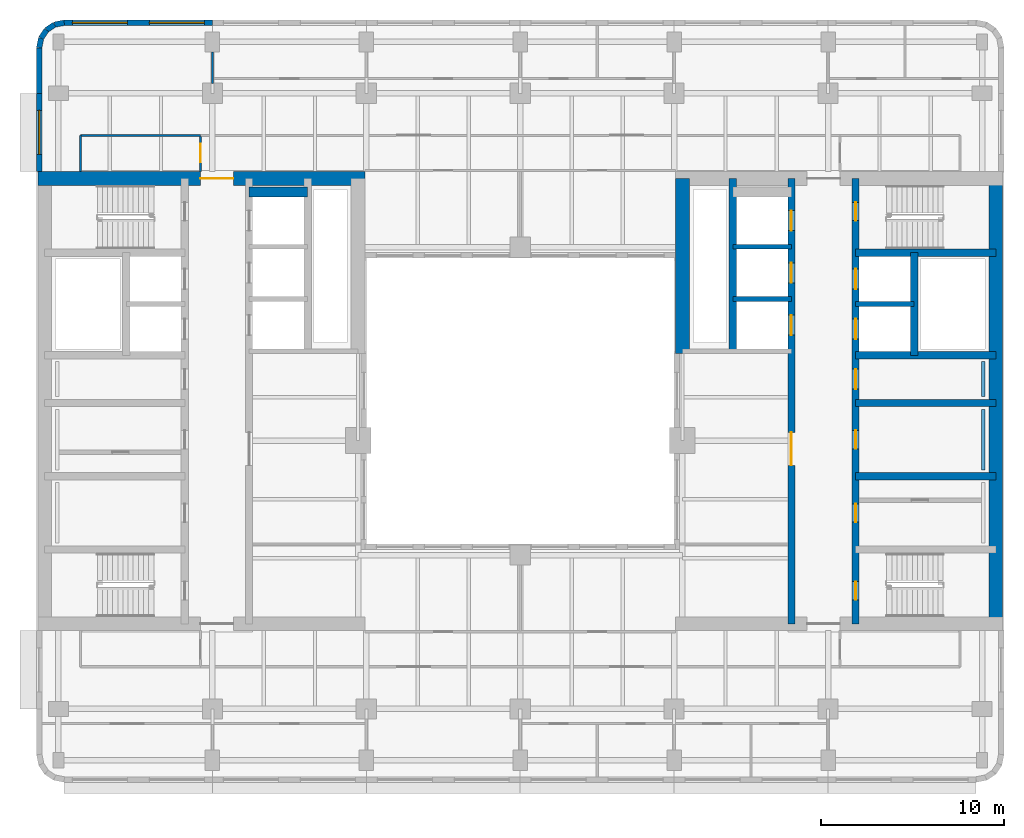
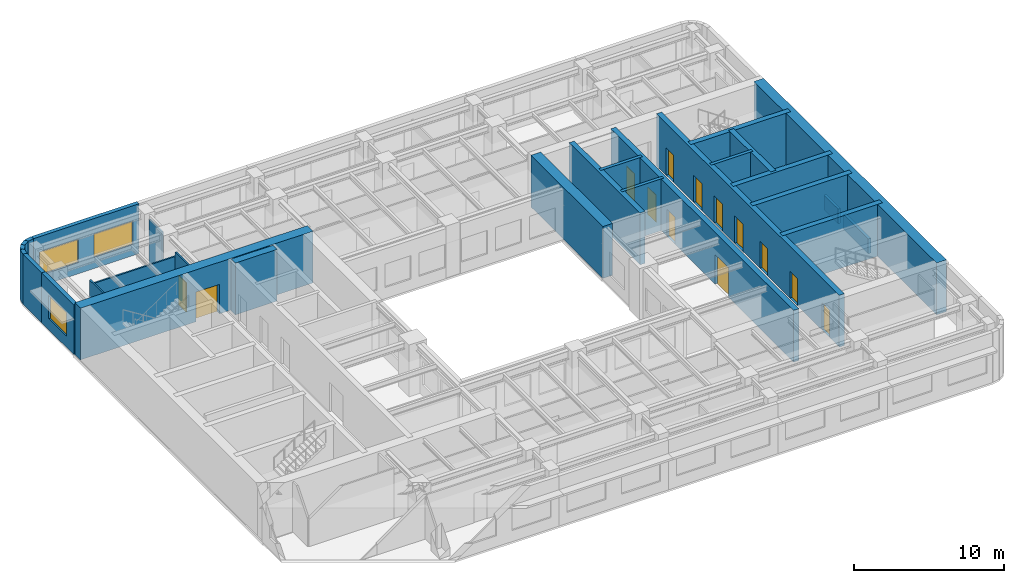
# One storey, part 6 of 11: 28 walls, 13 doors, 3 windows, 16 openings.
"""IFC4 building model written with IfcOpenShell, lengths in metres."""

from ifc_helpers import new_model, si_unit, direction, frame, frame_2d, origin, place, context, subcontext, project, spatial, rectangle, extrude, material, layer, layer_set, type_object, element, fill, save


model = new_model("IFC4")

# Units and contexts
model_context = context("Model", 3, precision=1e-05, world=origin(), true_north=direction((0.0, 1.0)))
body_context = subcontext(model_context, "Body", "Model", "MODEL_VIEW")
ifc_project = project(units=[si_unit("LENGTHUNIT", "METRE"), si_unit("AREAUNIT", "SQUARE_METRE"), si_unit("VOLUMEUNIT", "CUBIC_METRE"), si_unit("PLANEANGLEUNIT", "RADIAN"), si_unit("MASSUNIT", "GRAM", prefix="KILO")], contexts=[model_context])

# Site, building, storey
site_placement = place(None, origin())
site = spatial("IfcSite", under=ifc_project, at=site_placement, CompositionType="ELEMENT")
building_placement = place(site_placement, origin())
building = spatial("IfcBuilding", under=site, at=building_placement, Name="Claustro Exchange Tower", CompositionType="ELEMENT")
storey_placement = place(building_placement, frame((0.0, 0.0, 232.199951171875)))
storey = spatial("IfcBuildingStorey", under=building, at=storey_placement, Name="L53", CompositionType="ELEMENT", Elevation=232.199951171875)

# Wall
ifc_material_1 = material(Name="Laminated glass in aluminium frame", Category="aluminium")
ifc_layer_1 = layer(ifc_material_1, 0.1201171875)
ifc_layer_set_1 = layer_set([ifc_layer_1], Name="Laminated glass in aluminium frame")
wall_type_1 = type_object("IfcWallType", Name="P2 120 glazed partition", PredefinedType="PARTITIONING", material=ifc_layer_set_1)
wall_1_placement = place(storey_placement, frame((8.39990234375, 42.548095703125, 0.0), z_axis=(0.0, 0.0, 1.0), x_axis=(0.0, 1.0, 0.0)))
element("IfcWall", 1, at=wall_1_placement, inside=storey, type_object=wall_type_1, Name="Partition P2 L53", PredefinedType="PARTITIONING", context=body_context, shape_type="SweptSolid", body=[
    extrude(rectangle(XDim=1.702880859375, YDim=0.1201171875, at=frame_2d((0.8515625, 0.0))), origin(), (0.0, 0.0, 1.0), 3.68994140625),
])

# Wall, opening, door
wall_2_placement = place(storey_placement, frame((7.75, 37.72412109375, 0.0), z_axis=(0.0, 0.0, 1.0), x_axis=(0.0, 1.0, 0.0)))
wall_2 = element("IfcWall", 2, at=wall_2_placement, inside=storey, type_object=wall_type_1, Name="Partition P2 L53", PredefinedType="PARTITIONING", context=body_context, shape_type="SweptSolid", body=[
    extrude(rectangle(XDim=1.91796875, YDim=0.1201171875, at=frame_2d((0.958984375, 0.0))), origin(), (0.0, 0.0, 1.0), 4.050048828125),
])
opening_1_placement = place(wall_2_placement, frame((0.52587890625, 0.0, 0.0)))
opening_1 = element("IfcOpeningElement", 3, at=opening_1_placement, cuts=wall_2, Name="Opening D7", PredefinedType="OPENING", context=body_context, shape_type="SweptSolid", body=[
    extrude(rectangle(XDim=1.0, YDim=2.39990234375, at=frame_2d((0.5, 1.199951171875))), frame((0.0, 0.070068359375, 0.0), z_axis=(0.0, -1.0, 0.0), x_axis=(1.0, 0.0, 0.0)), (0.0, 0.0, 1.0), 0.14013671875),
])
ifc_material_2 = material(Name="Glass door in aluminium frame", Category="aluminium")
door_type_1 = type_object("IfcDoorType", Name="D7 1000 x 2400 glazed door", OperationType="SINGLE_SWING_LEFT", PredefinedType="DOOR", material=ifc_material_2)
door_1_placement = place(opening_1_placement, origin())
door_1 = element("IfcDoor", 4, at=door_1_placement, inside=storey, type_object=door_type_1, Name="Door D7 L53", OperationType="SINGLE_SWING_LEFT", OverallHeight=2.39990234375, OverallWidth=1.0, PredefinedType="DOOR", context=body_context, shape_type="SweptSolid", body=[
    extrude(rectangle(XDim=1.0, YDim=2.39990234375, at=frame_2d((0.5, 1.199951171875))), frame((0.0, 0.02490234375, 0.0), z_axis=(0.0, -1.0, 0.0), x_axis=(1.0, 0.0, 0.0)), (0.0, 0.0, 1.0), 0.050048828125),
])
fill(opening_1, door_1)

# Walls
wall_3_placement = place(storey_placement, frame((1.199951171875, 39.699951171875, 0.0), z_axis=(0.0, 0.0, 1.0), x_axis=(1.0, 0.0, 0.0)))
element("IfcWall", 5, at=wall_3_placement, inside=storey, type_object=wall_type_1, Name="Partition P2 L53", PredefinedType="PARTITIONING", context=body_context, shape_type="SweptSolid", body=[
    extrude(rectangle(XDim=6.552001953125, YDim=0.1201171875, at=frame_2d((3.27587890625, 0.0))), origin(), (0.0, 0.0, 1.0), 3.68994140625),
])
wall_4_placement = place(storey_placement, frame((1.199951171875, 37.72412109375, 0.0), z_axis=(0.0, 0.0, 1.0), x_axis=(0.0, 1.0, 0.0)))
element("IfcWall", 6, at=wall_4_placement, inside=storey, type_object=wall_type_1, Name="Partition P2 L53", PredefinedType="PARTITIONING", context=body_context, shape_type="SweptSolid", body=[
    extrude(rectangle(XDim=1.975830078125, YDim=0.1201171875, at=frame_2d((0.98779296875, 0.0))), origin(), (0.0, 0.0, 1.0), 4.050048828125),
])

# Wall, opening, window
ifc_material_3 = material(Name="Concrete HA-40 (C40/50), precast, white cement, acid-etched", Category="concrete")
ifc_layer_2 = layer(ifc_material_3, 0.300048828125)
ifc_layer_set_2 = layer_set([ifc_layer_2], Name="Concrete HA-40 (C40/50), precast, white cement, acid-etched")
wall_type_2 = type_object("IfcWallType", Name="PC1 300 precast concrete pier panel", PredefinedType="SOLIDWALL", material=ifc_layer_set_2)
wall_5_placement = place(storey_placement, frame((-1.050048828125, 37.72509765625, 0.0), z_axis=(0.0, 0.0, 1.0), x_axis=(0.0, 1.0, 0.0)))
wall_5 = element("IfcWall", 7, at=wall_5_placement, inside=storey, type_object=wall_type_2, Name="Precast pier panel PC1 L53", PredefinedType="SOLIDWALL", context=body_context, shape_type="SweptSolid", body=[
    extrude(rectangle(XDim=4.27490234375, YDim=0.300048828125, at=frame_2d((2.137451171875, 0.0))), origin(), (0.0, 0.0, 1.0), 4.050048828125),
])
opening_2_placement = place(wall_5_placement, frame((0.9375, 0.0, 0.89990234375)))
opening_2 = element("IfcOpeningElement", 8, at=opening_2_placement, cuts=wall_5, Name="Opening W2", PredefinedType="OPENING", context=body_context, shape_type="SweptSolid", body=[
    extrude(rectangle(XDim=2.39990234375, YDim=1.89990234375, at=frame_2d((1.199951171875, 0.949951171875))), frame((0.0, 0.159912109375, 0.0), z_axis=(0.0, -1.0, 0.0), x_axis=(1.0, 0.0, 0.0)), (0.0, 0.0, 1.0), 0.320068359375),
])
ifc_material_4 = material(Name="Aluminium frame, clear double glazing", Category="aluminium")
window_type_1 = type_object("IfcWindowType", Name="W2 2400 x 1900 window", PartitioningType="SINGLE_PANEL", PredefinedType="WINDOW", material=ifc_material_4)
window_1_placement = place(opening_2_placement, origin())
window_1 = element("IfcWindow", 9, at=window_1_placement, inside=storey, type_object=window_type_1, Name="Window W2 L53", OverallHeight=1.89990234375, OverallWidth=2.39990234375, PartitioningType="SINGLE_PANEL", PredefinedType="WINDOW", context=body_context, shape_type="SweptSolid", body=[
    extrude(rectangle(XDim=2.39990234375, YDim=1.89990234375, at=frame_2d((1.199951171875, 0.949951171875))), frame((0.0, 0.030029296875, 0.0), z_axis=(0.0, -1.0, 0.0), x_axis=(1.0, 0.0, 0.0)), (0.0, 0.0, 1.0), 0.06005859375),
])
fill(opening_2, window_1)

# Walls
wall_6_placement = place(storey_placement, frame((-1.050048828125, 42.0, 0.0), z_axis=(0.0, 0.0, 1.0), x_axis=(0.0, 1.0, 0.0)))
element("IfcWall", 10, at=wall_6_placement, inside=storey, type_object=wall_type_2, Name="Precast pier panel PC1 L53", PredefinedType="SOLIDWALL", context=body_context, shape_type="SweptSolid", body=[
    extrude(rectangle(XDim=2.485107421875, YDim=0.300048828125, at=frame_2d((1.24267578125, 0.0))), origin(), (0.0, 0.0, 1.0), 4.050048828125),
])
wall_7_placement = place(storey_placement, frame((-1.050048828125, 44.485107421875, 0.0), z_axis=(0.0, 0.0, 1.0), x_axis=(0.195073962632, 0.980788534345, 0.0)))
element("IfcWall", 11, at=wall_7_placement, inside=storey, type_object=wall_type_2, Name="Precast pier panel PC1 L53", PredefinedType="SOLIDWALL", context=body_context, shape_type="SweptSolid", body=[
    extrude(rectangle(XDim=0.540771484375, YDim=0.300048828125, at=frame_2d((0.2705078125, 0.0))), origin(), (0.0, 0.0, 1.0), 4.050048828125),
])
wall_8_placement = place(storey_placement, frame((-0.944580078125, 45.015380859375, 0.0), z_axis=(0.0, 0.0, 1.0), x_axis=(0.55534295404, 0.831621430339, 0.0)))
element("IfcWall", 12, at=wall_8_placement, inside=storey, type_object=wall_type_2, Name="Precast pier panel PC1 L53", PredefinedType="SOLIDWALL", context=body_context, shape_type="SweptSolid", body=[
    extrude(rectangle(XDim=0.52587890625, YDim=0.300048828125, at=frame_2d((0.262939453125, 0.0))), origin(), (0.0, 0.0, 1.0), 4.050048828125),
])
wall_9_placement = place(storey_placement, frame((-0.652587890625, 45.45263671875, 0.0), z_axis=(0.0, 0.0, 1.0), x_axis=(0.831692711774, 0.555236195849, 0.0)))
element("IfcWall", 13, at=wall_9_placement, inside=storey, type_object=wall_type_2, Name="Precast pier panel PC1 L53", PredefinedType="SOLIDWALL", context=body_context, shape_type="SweptSolid", body=[
    extrude(rectangle(XDim=0.525390625, YDim=0.300048828125, at=frame_2d((0.2626953125, 0.0))), origin(), (0.0, 0.0, 1.0), 4.050048828125),
])
wall_10_placement = place(storey_placement, frame((-0.215576171875, 45.744384765625, 0.0), z_axis=(0.0, 0.0, 1.0), x_axis=(0.980702050465, 0.1955082817, 0.0)))
element("IfcWall", 14, at=wall_10_placement, inside=storey, type_object=wall_type_2, Name="Precast pier panel PC1 L53", PredefinedType="SOLIDWALL", context=body_context, shape_type="SweptSolid", body=[
    extrude(rectangle(XDim=0.540771484375, YDim=0.300048828125, at=frame_2d((0.2705078125, 0.0))), origin(), (0.0, 0.0, 1.0), 4.050048828125),
])

# Wall, openings, windows
wall_11_placement = place(storey_placement, frame((0.314697265625, 45.85009765625, 0.0), z_axis=(0.0, 0.0, 1.0), x_axis=(1.0, 0.0, 0.0)))
wall_11 = element("IfcWall", 15, at=wall_11_placement, inside=storey, type_object=wall_type_2, Name="Precast pier panel PC1 L53", PredefinedType="SOLIDWALL", context=body_context, shape_type="SweptSolid", body=[
    extrude(rectangle(XDim=8.085205078125, YDim=0.300048828125, at=frame_2d((4.04248046875, 0.0))), origin(), (0.0, 0.0, 1.0), 4.050048828125),
])
opening_3_placement = place(wall_11_placement, frame((0.442626953125, 0.0, 0.89990234375)))
opening_3 = element("IfcOpeningElement", 16, at=opening_3_placement, cuts=wall_11, Name="Opening W1", PredefinedType="OPENING", context=body_context, shape_type="SweptSolid", body=[
    extrude(rectangle(XDim=3.0, YDim=1.89990234375, at=frame_2d((1.5, 0.949951171875))), frame((0.0, 0.159912109375, 0.0), z_axis=(0.0, -1.0, 0.0), x_axis=(1.0, 0.0, 0.0)), (0.0, 0.0, 1.0), 0.320068359375),
])
opening_4_placement = place(wall_11_placement, frame((4.642578125, 0.0, 0.89990234375)))
opening_4 = element("IfcOpeningElement", 17, at=opening_4_placement, cuts=wall_11, Name="Opening W1", PredefinedType="OPENING", context=body_context, shape_type="SweptSolid", body=[
    extrude(rectangle(XDim=3.0, YDim=1.89990234375, at=frame_2d((1.5, 0.949951171875))), frame((0.0, 0.159912109375, 0.0), z_axis=(0.0, -1.0, 0.0), x_axis=(1.0, 0.0, 0.0)), (0.0, 0.0, 1.0), 0.320068359375),
])
ifc_material_5 = material(Name="Aluminium frame, clear double glazing", Category="aluminium")
window_type_2 = type_object("IfcWindowType", Name="W1 3000 x 1900 window", PartitioningType="SINGLE_PANEL", PredefinedType="WINDOW", material=ifc_material_5)
window_2_placement = place(opening_3_placement, origin())
window_2 = element("IfcWindow", 18, at=window_2_placement, inside=storey, type_object=window_type_2, Name="Window W1 L53", OverallHeight=1.89990234375, OverallWidth=3.0, PartitioningType="SINGLE_PANEL", PredefinedType="WINDOW", context=body_context, shape_type="SweptSolid", body=[
    extrude(rectangle(XDim=3.0, YDim=1.89990234375, at=frame_2d((1.5, 0.949951171875))), frame((0.0, 0.030029296875, 0.0), z_axis=(0.0, -1.0, 0.0), x_axis=(1.0, 0.0, 0.0)), (0.0, 0.0, 1.0), 0.06005859375),
])
fill(opening_3, window_2)
window_3_placement = place(opening_4_placement, origin())
window_3 = element("IfcWindow", 19, at=window_3_placement, inside=storey, type_object=window_type_2, Name="Window W1 L53", OverallHeight=1.89990234375, OverallWidth=3.0, PartitioningType="SINGLE_PANEL", PredefinedType="WINDOW", context=body_context, shape_type="SweptSolid", body=[
    extrude(rectangle(XDim=3.0, YDim=1.89990234375, at=frame_2d((1.5, 0.949951171875))), frame((0.0, 0.030029296875, 0.0), z_axis=(0.0, -1.0, 0.0), x_axis=(1.0, 0.0, 0.0)), (0.0, 0.0, 1.0), 0.06005859375),
])
fill(opening_4, window_3)

# Walls
ifc_material_6 = material(Name="Gypsum board on steel studs, tiled", Category="steel")
ifc_layer_3 = layer(ifc_material_6, 0.199951171875)
ifc_layer_set_3 = layer_set([ifc_layer_3], Name="Gypsum board on steel studs, tiled")
wall_type_3 = type_object("IfcWallType", Name="PW1 200 WC duct wall", PredefinedType="PLUMBINGWALL", material=ifc_layer_set_3)
wall_12_placement = place(storey_placement, frame((50.47509765625, 21.449951171875, 0.0), z_axis=(0.0, 0.0, 1.0), x_axis=(0.0, 1.0, 0.0)))
element("IfcWall", 20, at=wall_12_placement, inside=storey, type_object=wall_type_3, Name="WC duct wall PW1 L53", PredefinedType="PLUMBINGWALL", context=body_context, shape_type="SweptSolid", body=[
    extrude(rectangle(XDim=3.300048828125, YDim=0.199951171875, at=frame_2d((1.64990234375, 0.0))), origin(), (0.0, 0.0, 1.0), 1.199951171875),
])
wall_13_placement = place(storey_placement, frame((50.47509765625, 25.449951171875, 0.0), z_axis=(0.0, 0.0, 1.0), x_axis=(0.0, 1.0, 0.0)))
element("IfcWall", 21, at=wall_13_placement, inside=storey, type_object=wall_type_3, Name="WC duct wall PW1 L53", PredefinedType="PLUMBINGWALL", context=body_context, shape_type="SweptSolid", body=[
    extrude(rectangle(XDim=1.900146484375, YDim=0.199951171875, at=frame_2d((0.9501953125, 0.0))), origin(), (0.0, 0.0, 1.0), 1.199951171875),
])

# Wall, opening, door
ifc_material_7 = material(Name="Concrete HA-70 (C70/85)", Category="concrete")
ifc_layer_4 = layer(ifc_material_7, 0.75)
ifc_layer_set_4 = layer_set([ifc_layer_4], Name="Concrete HA-70 (C70/85)")
wall_type_4 = type_object("IfcWallType", Name="SW2 750 core shear wall", PredefinedType="SHEAR", material=ifc_layer_set_4)
wall_14_placement = place(storey_placement, frame((-1.125, 37.35009765625, 0.0), z_axis=(0.0, 0.0, 1.0), x_axis=(1.0, 0.0, 0.0)))
wall_14 = element("IfcWall", 22, at=wall_14_placement, inside=storey, type_object=wall_type_4, Name="Core wall SW2 W core N face L53", PredefinedType="SHEAR", context=body_context, shape_type="SweptSolid", body=[
    extrude(rectangle(XDim=17.85009765625, YDim=0.75, at=frame_2d((8.925048828125, 0.0))), origin(), (0.0, 0.0, 1.0), 4.199951171875),
])
opening_5_placement = place(wall_14_placement, frame((8.875, 0.0, 0.0)))
opening_5 = element("IfcOpeningElement", 23, at=opening_5_placement, cuts=wall_14, Name="Opening D3", PredefinedType="OPENING", context=body_context, shape_type="SweptSolid", body=[
    extrude(rectangle(XDim=1.800048828125, YDim=2.39990234375, at=frame_2d((0.89990234375, 1.199951171875))), frame((0.0, 0.385009765625, 0.0), z_axis=(0.0, -1.0, 0.0), x_axis=(1.0, 0.0, 0.0)), (0.0, 0.0, 1.0), 0.77001953125),
])
ifc_material_8 = material(Name="Steel fire door, painted", Category="steel")
door_type_2 = type_object("IfcDoorType", Name="D3 1800 x 2400 fire-rated lobby double door", OperationType="DOUBLE_DOOR_SINGLE_SWING", PredefinedType="DOOR", material=ifc_material_8)
door_2_placement = place(opening_5_placement, frame((1.800048828125, 0.0, 0.0), z_axis=(0.0, 0.0, 1.0), x_axis=(-1.0, 0.0, 0.0)))
door_2 = element("IfcDoor", 24, at=door_2_placement, inside=storey, type_object=door_type_2, Name="Lift lobby door D3 L53", OperationType="DOUBLE_DOOR_SINGLE_SWING", OverallHeight=2.39990234375, OverallWidth=1.800048828125, PredefinedType="DOOR", context=body_context, shape_type="SweptSolid", body=[
    extrude(rectangle(XDim=1.800048828125, YDim=2.39990234375, at=frame_2d((0.89990234375, 1.199951171875))), frame((0.0, 0.02490234375, 0.0), z_axis=(0.0, -1.0, 0.0), x_axis=(1.0, 0.0, 0.0)), (0.0, 0.0, 1.0), 0.050048828125),
])
fill(opening_5, door_2)

# Walls
ifc_material_9 = material(Name="Concrete HA-70 (C70/85)", Category="concrete")
ifc_layer_5 = layer(ifc_material_9, 0.75)
ifc_layer_set_5 = layer_set([ifc_layer_5], Name="Concrete HA-70 (C70/85)")
wall_type_5 = type_object("IfcWallType", Name="SW2X 750 exposed core shear wall, board-marked face", PredefinedType="SHEAR", material=ifc_layer_set_5)
wall_15_placement = place(storey_placement, frame((34.050048828125, 27.800048828125, 0.0), z_axis=(0.0, 0.0, 1.0), x_axis=(0.0, 1.0, 0.0)))
element("IfcWall", 25, at=wall_15_placement, inside=storey, type_object=wall_type_5, Name="Core wall SW2X E core W face L53", PredefinedType="SHEAR", context=body_context, shape_type="SweptSolid", body=[
    extrude(rectangle(XDim=9.550048828125, YDim=0.75, at=frame_2d((4.77490234375, 0.0))), origin(), (0.0, 0.0, 1.0), 4.199951171875),
])
wall_16_placement = place(storey_placement, frame((51.14990234375, 13.050048828125, 0.0), z_axis=(0.0, 0.0, 1.0), x_axis=(0.0, 1.0, 0.0)))
element("IfcWall", 26, at=wall_16_placement, inside=storey, type_object=wall_type_5, Name="Core wall SW2X E core E face L53", PredefinedType="SHEAR", context=body_context, shape_type="SweptSolid", body=[
    extrude(rectangle(XDim=24.300048828125, YDim=0.75, at=frame_2d((12.14990234375, 0.0))), origin(), (0.0, 0.0, 1.0), 4.199951171875),
])

# Wall, openings, doors
ifc_material_10 = material(Name="Concrete HA-50 (C50/60)", Category="concrete")
ifc_layer_6 = layer(ifc_material_10, 0.39990234375)
ifc_layer_set_6 = layer_set([ifc_layer_6], Name="Concrete HA-50 (C50/60)")
wall_type_6 = type_object("IfcWallType", Name="SW4 400 internal core wall", PredefinedType="SHEAR", material=ifc_layer_set_6)
wall_17_placement = place(storey_placement, frame((43.5, 13.050048828125, 0.0), z_axis=(0.0, 0.0, 1.0), x_axis=(0.0, 1.0, 0.0)))
wall_17 = element("IfcWall", 27, at=wall_17_placement, inside=storey, type_object=wall_type_6, Name="Internal core wall SW4 E core L53", PredefinedType="SHEAR", context=body_context, shape_type="SweptSolid", body=[
    extrude(rectangle(XDim=24.300048828125, YDim=0.39990234375, at=frame_2d((12.14990234375, 0.0))), origin(), (0.0, 0.0, 1.0), 4.199951171875),
])
opening_6_placement = place(wall_17_placement, frame((1.300048828125, 0.0, 0.0)))
opening_6 = element("IfcOpeningElement", 28, at=opening_6_placement, cuts=wall_17, Name="Opening D4", PredefinedType="OPENING", context=body_context, shape_type="SweptSolid", body=[
    extrude(rectangle(XDim=1.0, YDim=2.199951171875, at=frame_2d((0.5, 1.10009765625))), frame((0.0, 0.2099609375, 0.0), z_axis=(0.0, -1.0, 0.0), x_axis=(1.0, 0.0, 0.0)), (0.0, 0.0, 1.0), 0.419921875),
])
opening_7_placement = place(wall_17_placement, frame((22.0, 0.0, 0.0)))
opening_7 = element("IfcOpeningElement", 29, at=opening_7_placement, cuts=wall_17, Name="Opening D4", PredefinedType="OPENING", context=body_context, shape_type="SweptSolid", body=[
    extrude(rectangle(XDim=1.0, YDim=2.199951171875, at=frame_2d((0.5, 1.10009765625))), frame((0.0, 0.2099609375, 0.0), z_axis=(0.0, -1.0, 0.0), x_axis=(1.0, 0.0, 0.0)), (0.0, 0.0, 1.0), 0.419921875),
])
opening_8_placement = place(wall_17_placement, frame((5.550048828125, 0.0, 0.0)))
opening_8 = element("IfcOpeningElement", 30, at=opening_8_placement, cuts=wall_17, Name="Opening D1", PredefinedType="OPENING", context=body_context, shape_type="SweptSolid", body=[
    extrude(rectangle(XDim=1.0, YDim=2.199951171875, at=frame_2d((0.5, 1.10009765625))), frame((0.0, 0.2099609375, 0.0), z_axis=(0.0, -1.0, 0.0), x_axis=(1.0, 0.0, 0.0)), (0.0, 0.0, 1.0), 0.419921875),
])
opening_9_placement = place(wall_17_placement, frame((9.550048828125, 0.0, 0.0)))
opening_9 = element("IfcOpeningElement", 31, at=opening_9_placement, cuts=wall_17, Name="Opening D1", PredefinedType="OPENING", context=body_context, shape_type="SweptSolid", body=[
    extrude(rectangle(XDim=1.0, YDim=2.199951171875, at=frame_2d((0.5, 1.10009765625))), frame((0.0, 0.2099609375, 0.0), z_axis=(0.0, -1.0, 0.0), x_axis=(1.0, 0.0, 0.0)), (0.0, 0.0, 1.0), 0.419921875),
])
opening_10_placement = place(wall_17_placement, frame((12.800048828125, 0.0, 0.0)))
opening_10 = element("IfcOpeningElement", 32, at=opening_10_placement, cuts=wall_17, Name="Opening D10", PredefinedType="OPENING", context=body_context, shape_type="SweptSolid", body=[
    extrude(rectangle(XDim=1.10009765625, YDim=2.199951171875, at=frame_2d((0.550048828125, 1.10009765625))), frame((0.0, 0.2099609375, 0.0), z_axis=(0.0, -1.0, 0.0), x_axis=(1.0, 0.0, 0.0)), (0.0, 0.0, 1.0), 0.419921875),
])
opening_11_placement = place(wall_17_placement, frame((15.53759765625, 0.0, 0.0)))
opening_11 = element("IfcOpeningElement", 33, at=opening_11_placement, cuts=wall_17, Name="Opening LD", PredefinedType="OPENING", context=body_context, shape_type="SweptSolid", body=[
    extrude(rectangle(XDim=1.10009765625, YDim=2.199951171875, at=frame_2d((0.550048828125, 1.10009765625))), frame((0.0, 0.2099609375, 0.0), z_axis=(0.0, -1.0, 0.0), x_axis=(1.0, 0.0, 0.0)), (0.0, 0.0, 1.0), 0.419921875),
])
opening_12_placement = place(wall_17_placement, frame((18.262451171875, 0.0, 0.0)))
opening_12 = element("IfcOpeningElement", 34, at=opening_12_placement, cuts=wall_17, Name="Opening LD", PredefinedType="OPENING", context=body_context, shape_type="SweptSolid", body=[
    extrude(rectangle(XDim=1.10009765625, YDim=2.199951171875, at=frame_2d((0.550048828125, 1.10009765625))), frame((0.0, 0.2099609375, 0.0), z_axis=(0.0, -1.0, 0.0), x_axis=(1.0, 0.0, 0.0)), (0.0, 0.0, 1.0), 0.419921875),
])
ifc_material_11 = material(Name="Timber door, oak veneer", Category="wood")
door_type_3 = type_object("IfcDoorType", Name="D1 1000 x 2200 single door", OperationType="SINGLE_SWING_LEFT", PredefinedType="DOOR", material=ifc_material_11)
door_3_placement = place(opening_8_placement, frame((1.0, 0.0, 0.0), z_axis=(0.0, 0.0, 1.0), x_axis=(-1.0, 0.0, 0.0)))
door_3 = element("IfcDoor", 35, at=door_3_placement, inside=storey, type_object=door_type_3, Name="Door D1 L53", OperationType="SINGLE_SWING_LEFT", OverallHeight=2.199951171875, OverallWidth=1.0, PredefinedType="DOOR", context=body_context, shape_type="SweptSolid", body=[
    extrude(rectangle(XDim=1.0, YDim=2.199951171875, at=frame_2d((0.5, 1.10009765625))), frame((0.0, 0.02490234375, 0.0), z_axis=(0.0, -1.0, 0.0), x_axis=(1.0, 0.0, 0.0)), (0.0, 0.0, 1.0), 0.050048828125),
])
fill(opening_8, door_3)
door_4_placement = place(opening_9_placement, frame((1.0, 0.0, 0.0), z_axis=(0.0, 0.0, 1.0), x_axis=(-1.0, 0.0, 0.0)))
door_4 = element("IfcDoor", 36, at=door_4_placement, inside=storey, type_object=door_type_3, Name="Door D1 L53", OperationType="SINGLE_SWING_LEFT", OverallHeight=2.199951171875, OverallWidth=1.0, PredefinedType="DOOR", context=body_context, shape_type="SweptSolid", body=[
    extrude(rectangle(XDim=1.0, YDim=2.199951171875, at=frame_2d((0.5, 1.10009765625))), frame((0.0, 0.02490234375, 0.0), z_axis=(0.0, -1.0, 0.0), x_axis=(1.0, 0.0, 0.0)), (0.0, 0.0, 1.0), 0.050048828125),
])
fill(opening_9, door_4)
ifc_material_12 = material(Name="Timber door, oak veneer", Category="wood")
door_type_4 = type_object("IfcDoorType", Name="D10 1100 x 2200 accessible WC door", OperationType="SINGLE_SWING_LEFT", PredefinedType="DOOR", material=ifc_material_12)
door_5_placement = place(opening_10_placement, origin())
door_5 = element("IfcDoor", 37, at=door_5_placement, inside=storey, type_object=door_type_4, Name="Accessible WC door D10 L53", OperationType="SINGLE_SWING_RIGHT", OverallHeight=2.199951171875, OverallWidth=1.10009765625, PredefinedType="DOOR", context=body_context, shape_type="SweptSolid", body=[
    extrude(rectangle(XDim=1.10009765625, YDim=2.199951171875, at=frame_2d((0.550048828125, 1.10009765625))), frame((0.0, 0.02490234375, 0.0), z_axis=(0.0, -1.0, 0.0), x_axis=(1.0, 0.0, 0.0)), (0.0, 0.0, 1.0), 0.050048828125),
])
fill(opening_10, door_5)
ifc_material_13 = material(Name="Steel fire door, painted", Category="steel")
door_type_5 = type_object("IfcDoorType", Name="D4 1000 x 2200 fire-rated stair door", OperationType="SINGLE_SWING_LEFT", PredefinedType="DOOR", material=ifc_material_13)
door_6_placement = place(opening_6_placement, frame((1.0, 0.0, 0.0), z_axis=(0.0, 0.0, 1.0), x_axis=(-1.0, 0.0, 0.0)))
door_6 = element("IfcDoor", 38, at=door_6_placement, inside=storey, type_object=door_type_5, Name="Stair door D4 L53", OperationType="SINGLE_SWING_RIGHT", OverallHeight=2.199951171875, OverallWidth=1.0, PredefinedType="DOOR", context=body_context, shape_type="SweptSolid", body=[
    extrude(rectangle(XDim=1.0, YDim=2.199951171875, at=frame_2d((0.5, 1.10009765625))), frame((0.0, 0.02490234375, 0.0), z_axis=(0.0, -1.0, 0.0), x_axis=(1.0, 0.0, 0.0)), (0.0, 0.0, 1.0), 0.050048828125),
])
fill(opening_6, door_6)
door_7_placement = place(opening_7_placement, frame((1.0, 0.0, 0.0), z_axis=(0.0, 0.0, 1.0), x_axis=(-1.0, 0.0, 0.0)))
door_7 = element("IfcDoor", 39, at=door_7_placement, inside=storey, type_object=door_type_5, Name="Stair door D4 L53", OperationType="SINGLE_SWING_LEFT", OverallHeight=2.199951171875, OverallWidth=1.0, PredefinedType="DOOR", context=body_context, shape_type="SweptSolid", body=[
    extrude(rectangle(XDim=1.0, YDim=2.199951171875, at=frame_2d((0.5, 1.10009765625))), frame((0.0, 0.02490234375, 0.0), z_axis=(0.0, -1.0, 0.0), x_axis=(1.0, 0.0, 0.0)), (0.0, 0.0, 1.0), 0.050048828125),
])
fill(opening_7, door_7)
ifc_material_14 = material(Name="Stainless steel sliding door", Category="steel")
door_type_6 = type_object("IfcDoorType", Name="LD 1100 x 2200 lift landing door", OperationType="DOUBLE_DOOR_SLIDING", PredefinedType="DOOR", material=ifc_material_14)
door_8_placement = place(opening_11_placement, origin())
door_8 = element("IfcDoor", 40, at=door_8_placement, inside=storey, type_object=door_type_6, Name="Lift landing door LEE1 LD L53", OperationType="DOUBLE_DOOR_SLIDING", OverallHeight=2.199951171875, OverallWidth=1.10009765625, PredefinedType="DOOR", context=body_context, shape_type="SweptSolid", body=[
    extrude(rectangle(XDim=1.10009765625, YDim=2.199951171875, at=frame_2d((0.550048828125, 1.10009765625))), frame((0.0, 0.02490234375, 0.0), z_axis=(0.0, -1.0, 0.0), x_axis=(1.0, 0.0, 0.0)), (0.0, 0.0, 1.0), 0.050048828125),
])
fill(opening_11, door_8)
door_9_placement = place(opening_12_placement, origin())
door_9 = element("IfcDoor", 41, at=door_9_placement, inside=storey, type_object=door_type_6, Name="Lift landing door LEE2 LD L53", OperationType="DOUBLE_DOOR_SLIDING", OverallHeight=2.199951171875, OverallWidth=1.10009765625, PredefinedType="DOOR", context=body_context, shape_type="SweptSolid", body=[
    extrude(rectangle(XDim=1.10009765625, YDim=2.199951171875, at=frame_2d((0.550048828125, 1.10009765625))), frame((0.0, 0.02490234375, 0.0), z_axis=(0.0, -1.0, 0.0), x_axis=(1.0, 0.0, 0.0)), (0.0, 0.0, 1.0), 0.050048828125),
])
fill(opening_12, door_9)

wall_18_placement = place(storey_placement, frame((40.0, 13.050048828125, 0.0), z_axis=(0.0, 0.0, 1.0), x_axis=(0.0, 1.0, 0.0)))
wall_18 = element("IfcWall", 42, at=wall_18_placement, inside=storey, type_object=wall_type_6, Name="Internal core wall SW4 E core L53", PredefinedType="SHEAR", context=body_context, shape_type="SweptSolid", body=[
    extrude(rectangle(XDim=24.300048828125, YDim=0.39990234375, at=frame_2d((12.14990234375, 0.0))), origin(), (0.0, 0.0, 1.0), 4.199951171875),
])
opening_13_placement = place(wall_18_placement, frame((15.75, 0.0, 0.0)))
opening_13 = element("IfcOpeningElement", 43, at=opening_13_placement, cuts=wall_18, Name="Opening LD", PredefinedType="OPENING", context=body_context, shape_type="SweptSolid", body=[
    extrude(rectangle(XDim=1.10009765625, YDim=2.199951171875, at=frame_2d((0.550048828125, 1.10009765625))), frame((0.0, 0.2099609375, 0.0), z_axis=(0.0, -1.0, 0.0), x_axis=(1.0, 0.0, 0.0)), (0.0, 0.0, 1.0), 0.419921875),
])
opening_14_placement = place(wall_18_placement, frame((18.60009765625, 0.0, 0.0)))
opening_14 = element("IfcOpeningElement", 44, at=opening_14_placement, cuts=wall_18, Name="Opening LD", PredefinedType="OPENING", context=body_context, shape_type="SweptSolid", body=[
    extrude(rectangle(XDim=1.10009765625, YDim=2.199951171875, at=frame_2d((0.550048828125, 1.10009765625))), frame((0.0, 0.2099609375, 0.0), z_axis=(0.0, -1.0, 0.0), x_axis=(1.0, 0.0, 0.0)), (0.0, 0.0, 1.0), 0.419921875),
])
opening_15_placement = place(wall_18_placement, frame((21.449951171875, 0.0, 0.0)))
opening_15 = element("IfcOpeningElement", 45, at=opening_15_placement, cuts=wall_18, Name="Opening LD", PredefinedType="OPENING", context=body_context, shape_type="SweptSolid", body=[
    extrude(rectangle(XDim=1.10009765625, YDim=2.199951171875, at=frame_2d((0.550048828125, 1.10009765625))), frame((0.0, 0.2099609375, 0.0), z_axis=(0.0, -1.0, 0.0), x_axis=(1.0, 0.0, 0.0)), (0.0, 0.0, 1.0), 0.419921875),
])
opening_16_placement = place(wall_18_placement, frame((8.64990234375, 0.0, 0.0)))
opening_16 = element("IfcOpeningElement", 46, at=opening_16_placement, cuts=wall_18, Name="Opening D3", PredefinedType="OPENING", context=body_context, shape_type="SweptSolid", body=[
    extrude(rectangle(XDim=1.800048828125, YDim=2.39990234375, at=frame_2d((0.89990234375, 1.199951171875))), frame((0.0, 0.2099609375, 0.0), z_axis=(0.0, -1.0, 0.0), x_axis=(1.0, 0.0, 0.0)), (0.0, 0.0, 1.0), 0.419921875),
])
door_10_placement = place(opening_16_placement, origin())
door_10 = element("IfcDoor", 47, at=door_10_placement, inside=storey, type_object=door_type_2, Name="Core zone door D3 L53", OperationType="DOUBLE_DOOR_SINGLE_SWING", OverallHeight=2.39990234375, OverallWidth=1.800048828125, PredefinedType="DOOR", context=body_context, shape_type="SweptSolid", body=[
    extrude(rectangle(XDim=1.800048828125, YDim=2.39990234375, at=frame_2d((0.89990234375, 1.199951171875))), frame((0.0, 0.02490234375, 0.0), z_axis=(0.0, -1.0, 0.0), x_axis=(1.0, 0.0, 0.0)), (0.0, 0.0, 1.0), 0.050048828125),
])
fill(opening_16, door_10)
door_11_placement = place(opening_13_placement, origin())
door_11 = element("IfcDoor", 48, at=door_11_placement, inside=storey, type_object=door_type_6, Name="Lift landing door LHE1 LD L53", OperationType="DOUBLE_DOOR_SLIDING", OverallHeight=2.199951171875, OverallWidth=1.10009765625, PredefinedType="DOOR", context=body_context, shape_type="SweptSolid", body=[
    extrude(rectangle(XDim=1.10009765625, YDim=2.199951171875, at=frame_2d((0.550048828125, 1.10009765625))), frame((0.0, 0.02490234375, 0.0), z_axis=(0.0, -1.0, 0.0), x_axis=(1.0, 0.0, 0.0)), (0.0, 0.0, 1.0), 0.050048828125),
])
fill(opening_13, door_11)
door_12_placement = place(opening_14_placement, origin())
door_12 = element("IfcDoor", 49, at=door_12_placement, inside=storey, type_object=door_type_6, Name="Lift landing door LHE2 LD L53", OperationType="DOUBLE_DOOR_SLIDING", OverallHeight=2.199951171875, OverallWidth=1.10009765625, PredefinedType="DOOR", context=body_context, shape_type="SweptSolid", body=[
    extrude(rectangle(XDim=1.10009765625, YDim=2.199951171875, at=frame_2d((0.550048828125, 1.10009765625))), frame((0.0, 0.02490234375, 0.0), z_axis=(0.0, -1.0, 0.0), x_axis=(1.0, 0.0, 0.0)), (0.0, 0.0, 1.0), 0.050048828125),
])
fill(opening_14, door_12)
door_13_placement = place(opening_15_placement, origin())
door_13 = element("IfcDoor", 50, at=door_13_placement, inside=storey, type_object=door_type_6, Name="Lift landing door LSE1 LD L53", OperationType="DOUBLE_DOOR_SLIDING", OverallHeight=2.199951171875, OverallWidth=1.10009765625, PredefinedType="DOOR", context=body_context, shape_type="SweptSolid", body=[
    extrude(rectangle(XDim=1.10009765625, YDim=2.199951171875, at=frame_2d((0.550048828125, 1.10009765625))), frame((0.0, 0.02490234375, 0.0), z_axis=(0.0, -1.0, 0.0), x_axis=(1.0, 0.0, 0.0)), (0.0, 0.0, 1.0), 0.050048828125),
])
fill(opening_15, door_13)

# Walls
wall_19_placement = place(storey_placement, frame((36.800048828125, 27.925048828125, 0.0), z_axis=(0.0, 0.0, 1.0), x_axis=(0.0, 1.0, 0.0)))
element("IfcWall", 51, at=wall_19_placement, inside=storey, type_object=wall_type_6, Name="Internal core wall SW4 E core L53", PredefinedType="SHEAR", context=body_context, shape_type="SweptSolid", body=[
    extrude(rectangle(XDim=9.425048828125, YDim=0.39990234375, at=frame_2d((4.71240234375, 0.0))), origin(), (0.0, 0.0, 1.0), 4.199951171875),
])
for number, where, z_axis, x_axis, name in (
    (52, (51.14990234375, 21.10009765625, 0.0), (0.0, 0.0, 1.0), (-1.0, 0.0, 0.0), "Internal core wall SW4 E core L53"),
    (53, (51.14990234375, 25.10009765625, 0.0), (0.0, 0.0, 1.0), (-1.0, 0.0, 0.0), "Internal core wall SW4 E core L53"),
    (54, (51.14990234375, 27.699951171875, 0.0), (0.0, 0.0, 1.0), (-1.0, 0.0, 0.0), "Internal core wall SW4 E core L53"),
    (55, (51.14990234375, 33.300048828125, 0.0), (0.0, 0.0, 1.0), (-1.0, 0.0, 0.0), "Internal core wall SW4 E core L53"),
):
    element("IfcWall", number, at=place(storey_placement, frame(where, z_axis=z_axis, x_axis=x_axis)), inside=storey, type_object=wall_type_6, Name=name, PredefinedType="SHEAR", context=body_context, shape_type="SweptSolid", body=[
        extrude(rectangle(XDim=7.64990234375, YDim=0.39990234375, at=frame_2d((3.824951171875, 0.0))), origin(), (0.0, 0.0, 1.0), 4.199951171875),
    ])
wall_20_placement = place(storey_placement, frame((46.699951171875, 27.699951171875, 0.0), z_axis=(0.0, 0.0, 1.0), x_axis=(0.0, 1.0, 0.0)))
element("IfcWall", 56, at=wall_20_placement, inside=storey, type_object=wall_type_6, Name="Internal core wall SW4 E core L53", PredefinedType="SHEAR", context=body_context, shape_type="SweptSolid", body=[
    extrude(rectangle(XDim=5.60009765625, YDim=0.39990234375, at=frame_2d((2.800048828125, 0.0))), origin(), (0.0, 0.0, 1.0), 4.199951171875),
])
ifc_material_15 = material(Name="Concrete HA-50 (C50/60)", Category="concrete")
ifc_layer_7 = layer(ifc_material_15, 0.25)
ifc_layer_set_7 = layer_set([ifc_layer_7], Name="Concrete HA-50 (C50/60)")
wall_type_7 = type_object("IfcWallType", Name="SW5 250 lift shaft divider wall", PredefinedType="SHEAR", material=ifc_layer_set_7)
for number, where, z_axis, x_axis, name in (
    (57, (46.699951171875, 30.5, 0.0), (0.0, 0.0, 1.0), (-1.0, 0.0, 0.0), "Lift shaft wall E core L53"),
    (58, (40.0, 30.77490234375, 0.0), (0.0, 0.0, 1.0), (-1.0, 0.0, 0.0), "Lift shaft wall E core L53"),
    (59, (40.0, 33.625, 0.0), (0.0, 0.0, 1.0), (-1.0, 0.0, 0.0), "Lift shaft wall E core L53"),
):
    element("IfcWall", number, at=place(storey_placement, frame(where, z_axis=z_axis, x_axis=x_axis)), inside=storey, type_object=wall_type_7, Name=name, PredefinedType="SHEAR", context=body_context, shape_type="SweptSolid", body=[
        extrude(rectangle(XDim=3.199951171875, YDim=0.25, at=frame_2d((1.60009765625, 0.0))), origin(), (0.0, 0.0, 1.0), 4.199951171875),
    ])
ifc_material_16 = material(Name="Concrete HA-50 (C50/60)", Category="concrete")
ifc_layer_8 = layer(ifc_material_16, 0.550048828125)
ifc_layer_set_8 = layer_set([ifc_layer_8], Name="Concrete HA-50 (C50/60)")
wall_type_8 = type_object("IfcWallType", Name="SW6 550 lift shaft end wall", PredefinedType="SHEAR", material=ifc_layer_set_8)
wall_21_placement = place(storey_placement, frame((10.39990234375, 36.625, 0.0), z_axis=(0.0, 0.0, 1.0), x_axis=(1.0, 0.0, 0.0)))
element("IfcWall", 60, at=wall_21_placement, inside=storey, type_object=wall_type_8, Name="Lift shaft wall W core L53", PredefinedType="SHEAR", context=body_context, shape_type="SweptSolid", body=[
    extrude(rectangle(XDim=3.2001953125, YDim=0.550048828125, at=frame_2d((1.60009765625, 0.0))), origin(), (0.0, 0.0, 1.0), 4.199951171875),
])

save(model, "model.ifc")
